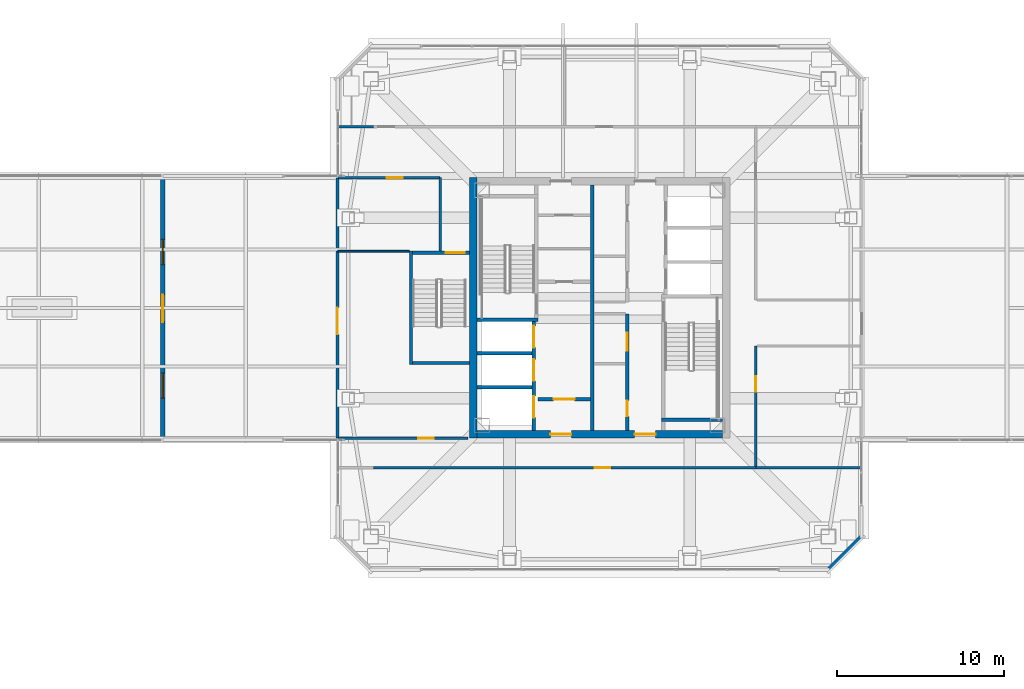
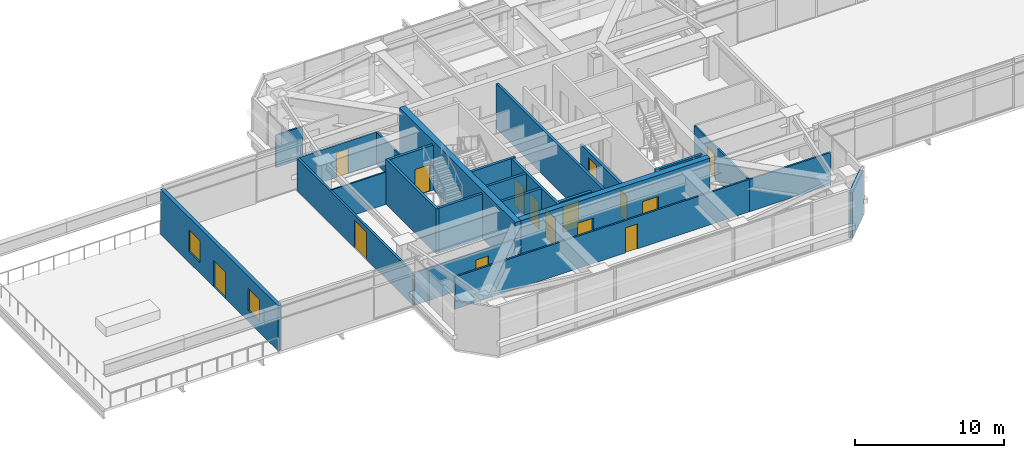
# One storey, part 41 of 51: 24 walls, 15 doors, 2 windows, 17 openings.
"""IFC4 building model written with IfcOpenShell, lengths in metres."""

from ifc_helpers import new_model, si_unit, direction, frame, frame_2d, origin, place, context, subcontext, project, spatial, rectangle, extrude, material, layer, layer_set, type_object, element, fill, save


model = new_model("IFC4")

# Units and contexts
model_context = context("Model", 3, precision=1e-05, world=origin(), true_north=direction((0.0, 1.0)))
body_context = subcontext(model_context, "Body", "Model", "MODEL_VIEW")
ifc_project = project(units=[si_unit("LENGTHUNIT", "METRE"), si_unit("AREAUNIT", "SQUARE_METRE"), si_unit("VOLUMEUNIT", "CUBIC_METRE"), si_unit("PLANEANGLEUNIT", "RADIAN"), si_unit("MASSUNIT", "GRAM", prefix="KILO")], contexts=[model_context])

# Site, building, storey
site_placement = place(None, origin())
site = spatial("IfcSite", under=ifc_project, at=site_placement, CompositionType="ELEMENT")
building_placement = place(site_placement, origin())
building = spatial("IfcBuilding", under=site, at=building_placement, Name="Tashvorn Skyway Center", CompositionType="ELEMENT")
storey_placement = place(building_placement, frame((0.0, 0.0, 259.39990234375)))
storey = spatial("IfcBuildingStorey", under=building, at=storey_placement, Name="L70", CompositionType="ELEMENT", Elevation=259.39990234375)

# Wall
ifc_material_1 = material(Name="Concrete C50/60", Category="concrete")
ifc_layer_1 = layer(ifc_material_1, 0.449951171875)
ifc_layer_set_1 = layer_set([ifc_layer_1], Name="Concrete C50/60")
wall_type_1 = type_object("IfcWallType", Name="WALL-CORE-450", PredefinedType="SHEAR", material=ifc_layer_set_1)
wall_1_placement = place(storey_placement, frame((34.425048828125, 24.199951171875, 0.0), z_axis=(0.0, 0.0, 1.0), x_axis=(0.0, 1.0, 0.0)))
element("IfcWall", 1, at=wall_1_placement, inside=storey, type_object=wall_type_1, Name="Tower 1 L70 West Core Shear Wall", PredefinedType="SHEAR", context=body_context, shape_type="SweptSolid", body=[
    extrude(rectangle(XDim=15.60009765625, YDim=0.449951171875, at=frame_2d((7.800048828125, 0.0))), origin(), (0.0, 0.0, 1.0), 4.0),
])

# Wall, openings, doors
wall_2_placement = place(storey_placement, frame((49.35009765625, 24.425048828125, 0.0), z_axis=(0.0, 0.0, 1.0), x_axis=(-1.0, 0.0, 0.0)))
wall_2 = element("IfcWall", 2, at=wall_2_placement, inside=storey, type_object=wall_type_1, Name="Tower 1 L70 South Core Shear Wall", PredefinedType="SHEAR", context=body_context, shape_type="SweptSolid", body=[
    extrude(rectangle(XDim=14.7001953125, YDim=0.449951171875, at=frame_2d((7.35009765625, 0.0))), origin(), (0.0, 0.0, 1.0), 4.0),
])
opening_1_placement = place(wall_2_placement, frame((9.050048828125, 0.0, 0.0)))
opening_1 = element("IfcOpeningElement", 3, at=opening_1_placement, cuts=wall_2, Name="Opening D-FFL-1250", PredefinedType="OPENING", context=body_context, shape_type="SweptSolid", body=[
    extrude(rectangle(XDim=1.25, YDim=2.25, at=frame_2d((0.625, 1.125))), frame((0.0, 0.23486328125, 0.0), z_axis=(0.0, -1.0, 0.0), x_axis=(1.0, 0.0, 0.0)), (0.0, 0.0, 1.0), 0.469970703125),
])
opening_2_placement = place(wall_2_placement, frame((4.0, 0.0, 0.0)))
opening_2 = element("IfcOpeningElement", 4, at=opening_2_placement, cuts=wall_2, Name="Opening D-FFL-1250", PredefinedType="OPENING", context=body_context, shape_type="SweptSolid", body=[
    extrude(rectangle(XDim=1.25, YDim=2.25, at=frame_2d((0.625, 1.125))), frame((0.0, 0.23486328125, 0.0), z_axis=(0.0, -1.0, 0.0), x_axis=(1.0, 0.0, 0.0)), (0.0, 0.0, 1.0), 0.469970703125),
])
ifc_material_2 = material(Name="Hollow galvanized steel fire door assembly", Category="steel")
door_type_1 = type_object("IfcDoorType", Name="DOOR-FFL-1250", OperationType="NOTDEFINED", PredefinedType="DOOR", material=ifc_material_2)
door_1_placement = place(opening_1_placement, origin())
door_1 = element("IfcDoor", 5, at=door_1_placement, inside=storey, type_object=door_type_1, Name="Tower 1 L70 Core South Firefighting Exit Door", OperationType="SINGLE_SWING_LEFT", OverallHeight=2.25, OverallWidth=1.25, PredefinedType="DOOR", context=body_context, shape_type="SweptSolid", body=[
    extrude(rectangle(XDim=1.25, YDim=2.25, at=frame_2d((0.625, 1.125))), frame((0.0, 0.02490234375, 0.0), z_axis=(0.0, -1.0, 0.0), x_axis=(1.0, 0.0, 0.0)), (0.0, 0.0, 1.0), 0.050048828125),
])
fill(opening_1, door_1)
door_2_placement = place(opening_2_placement, origin())
door_2 = element("IfcDoor", 6, at=door_2_placement, inside=storey, type_object=door_type_1, Name="Tower 1 L70 Core South Lift Lobby Door", OperationType="SINGLE_SWING_RIGHT", OverallHeight=2.25, OverallWidth=1.25, PredefinedType="DOOR", context=body_context, shape_type="SweptSolid", body=[
    extrude(rectangle(XDim=1.25, YDim=2.25, at=frame_2d((0.625, 1.125))), frame((0.0, 0.02490234375, 0.0), z_axis=(0.0, -1.0, 0.0), x_axis=(1.0, 0.0, 0.0)), (0.0, 0.0, 1.0), 0.050048828125),
])
fill(opening_2, door_2)

# Wall
ifc_material_3 = material(Name="Precast concrete C40/50", Category="concrete")
ifc_layer_2 = layer(ifc_material_3, 0.280029296875)
ifc_layer_set_2 = layer_set([ifc_layer_2], Name="Precast concrete C40/50")
wall_type_2 = type_object("IfcWallType", Name="WALL-EXT-280", PredefinedType="SOLIDWALL", material=ifc_layer_set_2)
wall_3_placement = place(storey_placement, frame((57.699951171875, 18.300048828125, 0.0), z_axis=(0.0, 0.0, 1.0), x_axis=(-0.707106781187, -0.707106781187, 0.0)))
element("IfcWall", 7, at=wall_3_placement, inside=storey, type_object=wall_type_2, Name="Tower 1 L70 SE Precast Chamfer Wall", PredefinedType="SOLIDWALL", context=body_context, shape_type="SweptSolid", body=[
    extrude(rectangle(XDim=2.828369140625, YDim=0.280029296875, at=frame_2d((1.4140625, 0.0))), origin(), (0.0, 0.0, 1.0), 3.7001953125),
])

# Wall, openings, door, windows
wall_4_placement = place(storey_placement, frame((15.840087890625, 24.10009765625, 0.0), z_axis=(0.0, 0.0, 1.0), x_axis=(0.0, 1.0, 0.0)))
wall_4 = element("IfcWall", 8, at=wall_4_placement, inside=storey, type_object=wall_type_2, Name="Sky-Park L70 West Sky-Garden Portal Wall", PredefinedType="SOLIDWALL", context=body_context, shape_type="SweptSolid", body=[
    extrude(rectangle(XDim=15.7998046875, YDim=0.280029296875, at=frame_2d((7.89990234375, 0.0))), origin(), (0.0, 0.0, 1.0), 3.7001953125),
])
opening_3_placement = place(wall_4_placement, frame((7.050048828125, 0.0, 0.0)))
opening_3 = element("IfcOpeningElement", 9, at=opening_3_placement, cuts=wall_4, Name="Opening D-TER-1650", PredefinedType="OPENING", context=body_context, shape_type="SweptSolid", body=[
    extrude(rectangle(XDim=1.64990234375, YDim=2.199951171875, at=frame_2d((0.824951171875, 1.10009765625))), frame((0.0, 0.14990234375, 0.0), z_axis=(0.0, -1.0, 0.0), x_axis=(1.0, 0.0, 0.0)), (0.0, 0.0, 1.0), 0.300048828125),
])
opening_4_placement = place(wall_4_placement, frame((2.5, 0.0, 0.89990234375)))
opening_4 = element("IfcOpeningElement", 10, at=opening_4_placement, cuts=wall_4, Name="Opening WIN-1500", PredefinedType="OPENING", context=body_context, shape_type="SweptSolid", body=[
    extrude(rectangle(XDim=1.5, YDim=1.800048828125, at=frame_2d((0.75, 0.89990234375))), frame((0.0, 0.14990234375, 0.0), z_axis=(0.0, -1.0, 0.0), x_axis=(1.0, 0.0, 0.0)), (0.0, 0.0, 1.0), 0.300048828125),
])
opening_5_placement = place(wall_4_placement, frame((10.5, 0.0, 0.89990234375)))
opening_5 = element("IfcOpeningElement", 11, at=opening_5_placement, cuts=wall_4, Name="Opening WIN-1500", PredefinedType="OPENING", context=body_context, shape_type="SweptSolid", body=[
    extrude(rectangle(XDim=1.5, YDim=1.800048828125, at=frame_2d((0.75, 0.89990234375))), frame((0.0, 0.14990234375, 0.0), z_axis=(0.0, -1.0, 0.0), x_axis=(1.0, 0.0, 0.0)), (0.0, 0.0, 1.0), 0.300048828125),
])
ifc_material_4 = material(Name="Thermally broken bronze-anodized aluminium 6063-T6", Category="aluminium")
door_type_2 = type_object("IfcDoorType", Name="DOOR-TERR-1650", OperationType="DOUBLE_DOOR_SINGLE_SWING", PredefinedType="DOOR", material=ifc_material_4)
door_3_placement = place(opening_3_placement, origin())
door_3 = element("IfcDoor", 12, at=door_3_placement, inside=storey, type_object=door_type_2, Name="Sky-Park L70 Cantilever Terrace Double Door", OperationType="DOUBLE_DOOR_SINGLE_SWING", OverallHeight=2.199951171875, OverallWidth=1.64990234375, PredefinedType="DOOR", context=body_context, shape_type="SweptSolid", body=[
    extrude(rectangle(XDim=1.64990234375, YDim=2.199951171875, at=frame_2d((0.824951171875, 1.10009765625))), frame((0.0, 0.02490234375, 0.0), z_axis=(0.0, -1.0, 0.0), x_axis=(1.0, 0.0, 0.0)), (0.0, 0.0, 1.0), 0.050048828125),
])
fill(opening_3, door_3)
ifc_material_5 = material(Name="Low-E solar-control double insulating safety glass", Category="glass")
window_type = type_object("IfcWindowType", Name="WIN-PAV-1500", PartitioningType="SINGLE_PANEL", PredefinedType="WINDOW", material=ifc_material_5)
window_1_placement = place(opening_4_placement, origin())
window_1 = element("IfcWindow", 13, at=window_1_placement, inside=storey, type_object=window_type, Name="Sky-Park L70 Cantilever Portal Window South", OverallHeight=1.800048828125, OverallWidth=1.5, PartitioningType="SINGLE_PANEL", PredefinedType="WINDOW", context=body_context, shape_type="SweptSolid", body=[
    extrude(rectangle(XDim=1.5, YDim=1.800048828125, at=frame_2d((0.75, 0.89990234375))), frame((0.0, 0.030029296875, 0.0), z_axis=(0.0, -1.0, 0.0), x_axis=(1.0, 0.0, 0.0)), (0.0, 0.0, 1.0), 0.06005859375),
])
fill(opening_4, window_1)
window_2_placement = place(opening_5_placement, origin())
window_2 = element("IfcWindow", 14, at=window_2_placement, inside=storey, type_object=window_type, Name="Sky-Park L70 Cantilever Portal Window North", OverallHeight=1.800048828125, OverallWidth=1.5, PartitioningType="SINGLE_PANEL", PredefinedType="WINDOW", context=body_context, shape_type="SweptSolid", body=[
    extrude(rectangle(XDim=1.5, YDim=1.800048828125, at=frame_2d((0.75, 0.89990234375))), frame((0.0, 0.030029296875, 0.0), z_axis=(0.0, -1.0, 0.0), x_axis=(1.0, 0.0, 0.0)), (0.0, 0.0, 1.0), 0.06005859375),
])
fill(opening_5, window_2)

# Wall, opening, door
ifc_material_6 = material(Name="Concrete C40/50", Category="concrete")
ifc_layer_3 = layer(ifc_material_6, 0.219970703125)
ifc_layer_set_3 = layer_set([ifc_layer_3], Name="Concrete C40/50")
wall_type_3 = type_object("IfcWallType", Name="WALL-FFL-220", PredefinedType="SOLIDWALL", material=ifc_layer_set_3)
wall_5_placement = place(storey_placement, frame((38.300048828125, 26.5400390625, 0.0), z_axis=(0.0, 0.0, 1.0), x_axis=(1.0, 0.0, 0.0)))
wall_5 = element("IfcWall", 15, at=wall_5_placement, inside=storey, type_object=wall_type_3, Name="Tower 1 L70 Firefighting Lobby South Wall", PredefinedType="SOLIDWALL", context=body_context, shape_type="SweptSolid", body=[
    extrude(rectangle(XDim=3.14990234375, YDim=0.219970703125, at=frame_2d((1.574951171875, 0.0))), origin(), (0.0, 0.0, 1.0), 2.6591796875),
])
opening_6_placement = place(wall_5_placement, frame((0.949951171875, 0.0, 0.0)))
opening_6 = element("IfcOpeningElement", 16, at=opening_6_placement, cuts=wall_5, Name="Opening D-FFL-1250", PredefinedType="OPENING", context=body_context, shape_type="SweptSolid", body=[
    extrude(rectangle(XDim=1.25, YDim=2.25, at=frame_2d((0.625, 1.125))), frame((0.0, 0.119873046875, 0.0), z_axis=(0.0, -1.0, 0.0), x_axis=(1.0, 0.0, 0.0)), (0.0, 0.0, 1.0), 0.239990234375),
])
door_4_placement = place(opening_6_placement, origin())
door_4 = element("IfcDoor", 17, at=door_4_placement, inside=storey, type_object=door_type_1, Name="Tower 1 L70 Firefighting Lobby Egress Door", OperationType="SINGLE_SWING_LEFT", OverallHeight=2.25, OverallWidth=1.25, PredefinedType="DOOR", context=body_context, shape_type="SweptSolid", body=[
    extrude(rectangle(XDim=1.25, YDim=2.25, at=frame_2d((0.625, 1.125))), frame((0.0, 0.02490234375, 0.0), z_axis=(0.0, -1.0, 0.0), x_axis=(1.0, 0.0, 0.0)), (0.0, 0.0, 1.0), 0.050048828125),
])
fill(opening_6, door_4)

# Walls
ifc_material_7 = material(Name="Gypsum board on cold-formed steel stud framing", Category="steel")
ifc_layer_4 = layer(ifc_material_7, 0.110107421875)
ifc_layer_set_4 = layer_set([ifc_layer_4], Name="Gypsum board on cold-formed steel stud framing")
wall_type_4 = type_object("IfcWallType", Name="WALL-PART-110", PredefinedType="PARTITIONING", material=ifc_layer_set_4)
wall_6_placement = place(storey_placement, frame((30.60009765625, 35.39990234375, 0.0), z_axis=(0.0, 0.0, 1.0), x_axis=(-1.0, 0.0, 0.0)))
element("IfcWall", 18, at=wall_6_placement, inside=storey, type_object=wall_type_4, Name="Tower 1 L70 West Suite Partition 1", PredefinedType="PARTITIONING", context=body_context, shape_type="SweptSolid", body=[
    extrude(rectangle(XDim=4.280029296875, YDim=0.110107421875, at=frame_2d((2.14013671875, 0.0))), origin(), (0.0, 0.0, 1.0), 2.6591796875),
])
ifc_layer_5 = layer(ifc_material_7, 0.135009765625)
ifc_layer_set_5 = layer_set([ifc_layer_5], Name="Gypsum board on cold-formed steel stud framing")
wall_type_5 = type_object("IfcWallType", Name="WALL-PART-135", PredefinedType="PARTITIONING", material=ifc_layer_set_5)
wall_7_placement = place(storey_placement, frame((32.449951171875, 35.39990234375, 0.0), z_axis=(0.0, 0.0, 1.0), x_axis=(0.0, 1.0, 0.0)))
element("IfcWall", 19, at=wall_7_placement, inside=storey, type_object=wall_type_5, Name="Tower 1 L70 Stair 3 Access Corridor Wall", PredefinedType="PARTITIONING", context=body_context, shape_type="SweptSolid", body=[
    extrude(rectangle(XDim=4.400146484375, YDim=0.135009765625, at=frame_2d((2.2001953125, 0.0))), origin(), (0.0, 0.0, 1.0), 2.6591796875),
])
wall_8_placement = place(storey_placement, frame((26.320068359375, 42.85009765625, 0.0), z_axis=(0.0, 0.0, 1.0), x_axis=(1.0, 0.0, 0.0)))
element("IfcWall", 20, at=wall_8_placement, inside=storey, type_object=wall_type_5, Name="Tower 1 L70 North-West Suite South Wall", PredefinedType="PARTITIONING", context=body_context, shape_type="SweptSolid", body=[
    extrude(rectangle(XDim=2.1298828125, YDim=0.135009765625, at=frame_2d((1.06494140625, 0.0))), origin(), (0.0, 0.0, 1.0), 2.6591796875),
])

# Wall, opening, door
wall_9_placement = place(storey_placement, frame((51.35009765625, 22.429931640625, 0.0), z_axis=(0.0, 0.0, 1.0), x_axis=(-1.0, 0.0, 0.0)))
wall_9 = element("IfcWall", 21, at=wall_9_placement, inside=storey, type_object=wall_type_5, Name="Tower 1 L70 South Suite Wall", PredefinedType="PARTITIONING", context=body_context, shape_type="SweptSolid", body=[
    extrude(rectangle(XDim=22.900146484375, YDim=0.135009765625, at=frame_2d((11.4501953125, 0.0))), origin(), (0.0, 0.0, 1.0), 2.6591796875),
])
opening_7_placement = place(wall_9_placement, frame((8.70458984375, 0.0, 0.0)))
opening_7 = element("IfcOpeningElement", 22, at=opening_7_placement, cuts=wall_9, Name="Opening D-INT-950", PredefinedType="OPENING", context=body_context, shape_type="SweptSolid", body=[
    extrude(rectangle(XDim=0.949951171875, YDim=2.050048828125, at=frame_2d((0.47509765625, 1.02490234375))), frame((0.0, 0.077392578125, 0.0), z_axis=(0.0, -1.0, 0.0), x_axis=(1.0, 0.0, 0.0)), (0.0, 0.0, 1.0), 0.155029296875),
])
ifc_material_8 = material(Name="Solid-core architectural oak veneer door")
door_type_3 = type_object("IfcDoorType", Name="DOOR-INT-950", OperationType="NOTDEFINED", PredefinedType="DOOR", material=ifc_material_8)
door_5_placement = place(opening_7_placement, origin())
door_5 = element("IfcDoor", 23, at=door_5_placement, inside=storey, type_object=door_type_3, Name="Tower 1 L70 Conference Room Door", OperationType="SINGLE_SWING_LEFT", OverallHeight=2.050048828125, OverallWidth=0.949951171875, PredefinedType="DOOR", context=body_context, shape_type="SweptSolid", body=[
    extrude(rectangle(XDim=0.949951171875, YDim=2.050048828125, at=frame_2d((0.47509765625, 1.02490234375))), frame((0.0, 0.02490234375, 0.0), z_axis=(0.0, -1.0, 0.0), x_axis=(1.0, 0.0, 0.0)), (0.0, 0.0, 1.0), 0.050048828125),
])
fill(opening_7, door_5)

# Wall
wall_10_placement = place(storey_placement, frame((51.35009765625, 22.429931640625, 0.0), z_axis=(0.0, 0.0, 1.0), x_axis=(1.0, 0.0, 0.0)))
element("IfcWall", 24, at=wall_10_placement, inside=storey, type_object=wall_type_5, Name="Tower 1 L70 South-East Suite North Wall", PredefinedType="PARTITIONING", context=body_context, shape_type="SweptSolid", body=[
    extrude(rectangle(XDim=6.329833984375, YDim=0.135009765625, at=frame_2d((3.1650390625, 0.0))), origin(), (0.0, 0.0, 1.0), 2.6591796875),
])

# Wall, opening, door
wall_11_placement = place(storey_placement, frame((51.35009765625, 29.719970703125, 0.0), z_axis=(0.0, 0.0, 1.0), x_axis=(0.0, -1.0, 0.0)))
wall_11 = element("IfcWall", 25, at=wall_11_placement, inside=storey, type_object=wall_type_5, Name="Tower 1 L70 East South Suite Wall", PredefinedType="PARTITIONING", context=body_context, shape_type="SweptSolid", body=[
    extrude(rectangle(XDim=7.2099609375, YDim=0.135009765625, at=frame_2d((3.60498046875, 0.0))), origin(), (0.0, 0.0, 1.0), 2.6591796875),
])
opening_8_placement = place(wall_11_placement, frame((1.800048828125, 0.0, 0.0)))
opening_8 = element("IfcOpeningElement", 26, at=opening_8_placement, cuts=wall_11, Name="Opening D-INT-950", PredefinedType="OPENING", context=body_context, shape_type="SweptSolid", body=[
    extrude(rectangle(XDim=0.949951171875, YDim=2.050048828125, at=frame_2d((0.47509765625, 1.02490234375))), frame((0.0, 0.077392578125, 0.0), z_axis=(0.0, -1.0, 0.0), x_axis=(1.0, 0.0, 0.0)), (0.0, 0.0, 1.0), 0.155029296875),
])
door_6_placement = place(opening_8_placement, origin())
door_6 = element("IfcDoor", 27, at=door_6_placement, inside=storey, type_object=door_type_3, Name="Tower 1 L70 Executive Conference Suite Door", OperationType="SINGLE_SWING_LEFT", OverallHeight=2.050048828125, OverallWidth=0.949951171875, PredefinedType="DOOR", context=body_context, shape_type="SweptSolid", body=[
    extrude(rectangle(XDim=0.949951171875, YDim=2.050048828125, at=frame_2d((0.47509765625, 1.02490234375))), frame((0.0, 0.02490234375, 0.0), z_axis=(0.0, -1.0, 0.0), x_axis=(1.0, 0.0, 0.0)), (0.0, 0.0, 1.0), 0.050048828125),
])
fill(opening_8, door_6)

wall_12_placement = place(storey_placement, frame((32.449951171875, 39.800048828125, 0.0), z_axis=(0.0, 0.0, 1.0), x_axis=(-1.0, 0.0, 0.0)))
wall_12 = element("IfcWall", 28, at=wall_12_placement, inside=storey, type_object=wall_type_5, Name="Tower 1 L70 West Suite North Wall", PredefinedType="PARTITIONING", context=body_context, shape_type="SweptSolid", body=[
    extrude(rectangle(XDim=6.1298828125, YDim=0.135009765625, at=frame_2d((3.06494140625, 0.0))), origin(), (0.0, 0.0, 1.0), 2.6591796875),
])
opening_9_placement = place(wall_12_placement, frame((2.239990234375, 0.0, 0.0)))
opening_9 = element("IfcOpeningElement", 29, at=opening_9_placement, cuts=wall_12, Name="Opening D-INT-950", PredefinedType="OPENING", context=body_context, shape_type="SweptSolid", body=[
    extrude(rectangle(XDim=0.949951171875, YDim=2.050048828125, at=frame_2d((0.47509765625, 1.02490234375))), frame((0.0, 0.077392578125, 0.0), z_axis=(0.0, -1.0, 0.0), x_axis=(1.0, 0.0, 0.0)), (0.0, 0.0, 1.0), 0.155029296875),
])
door_7_placement = place(opening_9_placement, origin())
door_7 = element("IfcDoor", 30, at=door_7_placement, inside=storey, type_object=door_type_3, Name="Tower 1 L70 Catering Pantry Door", OperationType="SINGLE_SWING_RIGHT", OverallHeight=2.050048828125, OverallWidth=0.949951171875, PredefinedType="DOOR", context=body_context, shape_type="SweptSolid", body=[
    extrude(rectangle(XDim=0.949951171875, YDim=2.050048828125, at=frame_2d((0.47509765625, 1.02490234375))), frame((0.0, 0.02490234375, 0.0), z_axis=(0.0, -1.0, 0.0), x_axis=(1.0, 0.0, 0.0)), (0.0, 0.0, 1.0), 0.050048828125),
])
fill(opening_9, door_7)

wall_13_placement = place(storey_placement, frame((26.320068359375, 24.199951171875, 0.0), z_axis=(0.0, 0.0, 1.0), x_axis=(1.0, 0.0, 0.0)))
wall_13 = element("IfcWall", 31, at=wall_13_placement, inside=storey, type_object=wall_type_5, Name="Tower 1 L70 West Suite South Wall", PredefinedType="PARTITIONING", context=body_context, shape_type="SweptSolid", body=[
    extrude(rectangle(XDim=7.800048828125, YDim=0.135009765625, at=frame_2d((3.89990234375, 0.0))), origin(), (0.0, 0.0, 1.0), 2.6591796875),
])
opening_10_placement = place(wall_13_placement, frame((4.804931640625, 0.0, 0.0)))
opening_10 = element("IfcOpeningElement", 32, at=opening_10_placement, cuts=wall_13, Name="Opening D-INT-950", PredefinedType="OPENING", context=body_context, shape_type="SweptSolid", body=[
    extrude(rectangle(XDim=0.949951171875, YDim=2.050048828125, at=frame_2d((0.47509765625, 1.02490234375))), frame((0.0, 0.077392578125, 0.0), z_axis=(0.0, -1.0, 0.0), x_axis=(1.0, 0.0, 0.0)), (0.0, 0.0, 1.0), 0.155029296875),
])
door_8_placement = place(opening_10_placement, origin())
door_8 = element("IfcDoor", 33, at=door_8_placement, inside=storey, type_object=door_type_3, Name="Tower 1 L70 Breakout Lounge Door", OperationType="SINGLE_SWING_LEFT", OverallHeight=2.050048828125, OverallWidth=0.949951171875, PredefinedType="DOOR", context=body_context, shape_type="SweptSolid", body=[
    extrude(rectangle(XDim=0.949951171875, YDim=2.050048828125, at=frame_2d((0.47509765625, 1.02490234375))), frame((0.0, 0.02490234375, 0.0), z_axis=(0.0, -1.0, 0.0), x_axis=(1.0, 0.0, 0.0)), (0.0, 0.0, 1.0), 0.050048828125),
])
fill(opening_10, door_8)

ifc_layer_6 = layer(ifc_material_7, 0.159912109375)
ifc_layer_set_6 = layer_set([ifc_layer_6], Name="Gypsum board on cold-formed steel stud framing")
wall_type_6 = type_object("IfcWallType", Name="WALL-PART-160", PredefinedType="PARTITIONING", material=ifc_layer_set_6)
wall_14_placement = place(storey_placement, frame((26.300048828125, 24.219970703125, 0.0), z_axis=(0.0, 0.0, 1.0), x_axis=(0.0, 1.0, 0.0)))
wall_14 = element("IfcWall", 34, at=wall_14_placement, inside=storey, type_object=wall_type_6, Name="L70 Sky-Park Cantilever Entry Wall", PredefinedType="PARTITIONING", context=body_context, shape_type="SweptSolid", body=[
    extrude(rectangle(XDim=15.56005859375, YDim=0.159912109375, at=frame_2d((7.780029296875, 0.0))), origin(), (0.0, 0.0, 1.0), 2.6591796875),
])
opening_11_placement = place(wall_14_placement, frame((6.199951171875, 0.0, 0.0)))
opening_11 = element("IfcOpeningElement", 35, at=opening_11_placement, cuts=wall_14, Name="Opening D-DBL-1600", PredefinedType="OPENING", context=body_context, shape_type="SweptSolid", body=[
    extrude(rectangle(XDim=1.60009765625, YDim=2.25, at=frame_2d((0.800048828125, 1.125))), frame((0.0, 0.08984375, 0.0), z_axis=(0.0, -1.0, 0.0), x_axis=(1.0, 0.0, 0.0)), (0.0, 0.0, 1.0), 0.179931640625),
])
ifc_material_9 = material(Name="Anodized aluminium and tempered safety glass", Category="aluminium")
door_type_4 = type_object("IfcDoorType", Name="DOOR-DBL-1600", OperationType="DOUBLE_DOOR_SINGLE_SWING", PredefinedType="DOOR", material=ifc_material_9)
door_9_placement = place(opening_11_placement, origin())
door_9 = element("IfcDoor", 36, at=door_9_placement, inside=storey, type_object=door_type_4, Name="L70 Cantilever Gallery Entry Door", OperationType="DOUBLE_DOOR_SINGLE_SWING", OverallHeight=2.25, OverallWidth=1.60009765625, PredefinedType="DOOR", context=body_context, shape_type="SweptSolid", body=[
    extrude(rectangle(XDim=1.60009765625, YDim=2.25, at=frame_2d((0.800048828125, 1.125))), frame((0.0, 0.02490234375, 0.0), z_axis=(0.0, -1.0, 0.0), x_axis=(1.0, 0.0, 0.0)), (0.0, 0.0, 1.0), 0.050048828125),
])
fill(opening_11, door_9)

# Walls
ifc_layer_7 = layer(ifc_material_6, 0.199951171875)
ifc_layer_set_7 = layer_set([ifc_layer_7], Name="Concrete C40/50")
wall_type_7 = type_object("IfcWallType", Name="WALL-SHAFT-200", PredefinedType="SOLIDWALL", material=ifc_layer_set_7)
for number, where, z_axis, x_axis, name in (
    (37, (34.64990234375, 27.25, 0.0), (0.0, 0.0, 1.0), (1.0, 0.0, 0.0), "Tower 1 L70 FSAE Shaft Divider"),
    (38, (34.64990234375, 29.280029296875, 0.0), (0.0, 0.0, 1.0), (1.0, 0.0, 0.0), "Tower 1 L70 FSAE Shaft Divider"),
):
    element("IfcWall", number, at=place(storey_placement, frame(where, z_axis=z_axis, x_axis=x_axis)), inside=storey, type_object=wall_type_7, Name=name, PredefinedType="SOLIDWALL", context=body_context, shape_type="SweptSolid", body=[
        extrude(rectangle(XDim=3.300048828125, YDim=0.199951171875, at=frame_2d((1.64990234375, 0.0))), origin(), (0.0, 0.0, 1.0), 3.7001953125),
    ])

# Wall, openings, doors
wall_15_placement = place(storey_placement, frame((43.64990234375, 24.64990234375, 0.0), z_axis=(0.0, 0.0, 1.0), x_axis=(0.0, 1.0, 0.0)))
wall_15 = element("IfcWall", 39, at=wall_15_placement, inside=storey, type_object=wall_type_7, Name="Tower 1 L70 Low-Rise Core Wall", PredefinedType="SOLIDWALL", context=body_context, shape_type="SweptSolid", body=[
    extrude(rectangle(XDim=7.0, YDim=0.199951171875, at=frame_2d((3.5, 0.0))), origin(), (0.0, 0.0, 1.0), 2.6591796875),
])
opening_12_placement = place(wall_15_placement, frame((0.85009765625, 0.0, 0.0)))
opening_12 = element("IfcOpeningElement", 40, at=opening_12_placement, cuts=wall_15, Name="Opening D-RT-950", PredefinedType="OPENING", context=body_context, shape_type="SweptSolid", body=[
    extrude(rectangle(XDim=0.949951171875, YDim=2.050048828125, at=frame_2d((0.47509765625, 1.02490234375))), frame((0.0, 0.10986328125, 0.0), z_axis=(0.0, -1.0, 0.0), x_axis=(1.0, 0.0, 0.0)), (0.0, 0.0, 1.0), 0.219970703125),
])
opening_13_placement = place(wall_15_placement, frame((4.800048828125, 0.0, 0.0)))
opening_13 = element("IfcOpeningElement", 41, at=opening_13_placement, cuts=wall_15, Name="Opening D-RT-1050", PredefinedType="OPENING", context=body_context, shape_type="SweptSolid", body=[
    extrude(rectangle(XDim=1.050048828125, YDim=2.199951171875, at=frame_2d((0.52490234375, 1.10009765625))), frame((0.0, 0.10986328125, 0.0), z_axis=(0.0, -1.0, 0.0), x_axis=(1.0, 0.0, 0.0)), (0.0, 0.0, 1.0), 0.219970703125),
])
door_type_5 = type_object("IfcDoorType", Name="DOOR-RATED-1050", OperationType="NOTDEFINED", PredefinedType="DOOR", material=ifc_material_2)
door_10_placement = place(opening_13_placement, origin())
door_10 = element("IfcDoor", 42, at=door_10_placement, inside=storey, type_object=door_type_5, Name="Tower 1 L70 Freed Core Room Door", OperationType="SINGLE_SWING_RIGHT", OverallHeight=2.199951171875, OverallWidth=1.050048828125, PredefinedType="DOOR", context=body_context, shape_type="SweptSolid", body=[
    extrude(rectangle(XDim=1.050048828125, YDim=2.199951171875, at=frame_2d((0.52490234375, 1.10009765625))), frame((0.0, 0.02490234375, 0.0), z_axis=(0.0, -1.0, 0.0), x_axis=(1.0, 0.0, 0.0)), (0.0, 0.0, 1.0), 0.050048828125),
])
fill(opening_13, door_10)
door_type_6 = type_object("IfcDoorType", Name="DOOR-RATED-950", OperationType="NOTDEFINED", PredefinedType="DOOR", material=ifc_material_2)
door_11_placement = place(opening_12_placement, origin())
door_11 = element("IfcDoor", 43, at=door_11_placement, inside=storey, type_object=door_type_6, Name="Tower 1 L70 Core Print Room Door", OperationType="SINGLE_SWING_LEFT", OverallHeight=2.050048828125, OverallWidth=0.949951171875, PredefinedType="DOOR", context=body_context, shape_type="SweptSolid", body=[
    extrude(rectangle(XDim=0.949951171875, YDim=2.050048828125, at=frame_2d((0.47509765625, 1.02490234375))), frame((0.0, 0.02490234375, 0.0), z_axis=(0.0, -1.0, 0.0), x_axis=(1.0, 0.0, 0.0)), (0.0, 0.0, 1.0), 0.050048828125),
])
fill(opening_12, door_11)

# Walls
ifc_layer_8 = layer(ifc_material_6, 0.199951171875)
ifc_layer_set_8 = layer_set([ifc_layer_8], Name="Concrete C40/50")
wall_type_8 = type_object("IfcWallType", Name="WALL-STSHF-200", PredefinedType="SHEAR", material=ifc_layer_set_8)
for number, where, z_axis, x_axis, name in (
    (44, (34.64990234375, 31.300048828125, 0.0), (0.0, 0.0, 1.0), (1.0, 0.0, 0.0), "Tower 1 L70 Stair 1 South Wall"),
    (45, (45.699951171875, 25.300048828125, 0.0), (0.0, 0.0, 1.0), (1.0, 0.0, 0.0), "Tower 1 L70 Stair 2 South Wall"),
):
    element("IfcWall", number, at=place(storey_placement, frame(where, z_axis=z_axis, x_axis=x_axis)), inside=storey, type_object=wall_type_8, Name=name, PredefinedType="SHEAR", context=body_context, shape_type="SweptSolid", body=[
        extrude(rectangle(XDim=3.650146484375, YDim=0.199951171875, at=frame_2d((1.8251953125, 0.0))), origin(), (0.0, 0.0, 1.0), 3.7001953125),
    ])
wall_16_placement = place(storey_placement, frame((41.56005859375, 24.64990234375, 0.0), z_axis=(0.0, 0.0, 1.0), x_axis=(0.0, 1.0, 0.0)))
element("IfcWall", 46, at=wall_16_placement, inside=storey, type_object=wall_type_8, Name="Tower 1 L70 Firefighting Lobby East Smoke Barrier", PredefinedType="SHEAR", context=body_context, shape_type="SweptSolid", body=[
    extrude(rectangle(XDim=14.7001953125, YDim=0.199951171875, at=frame_2d((7.35009765625, 0.0))), origin(), (0.0, 0.0, 1.0), 3.7001953125),
])

# Wall, openings, doors
wall_17_placement = place(storey_placement, frame((38.050048828125, 24.64990234375, 0.0), z_axis=(0.0, 0.0, 1.0), x_axis=(0.0, 1.0, 0.0)))
wall_17 = element("IfcWall", 47, at=wall_17_placement, inside=storey, type_object=wall_type_8, Name="Tower 1 L70 FSAE and Goods Shaft Front Wall", PredefinedType="SHEAR", context=body_context, shape_type="SweptSolid", body=[
    extrude(rectangle(XDim=6.550048828125, YDim=0.199951171875, at=frame_2d((3.27490234375, 0.0))), origin(), (0.0, 0.0, 1.0), 3.7001953125),
])
opening_14_placement = place(wall_17_placement, frame((4.97509765625, 0.0, 0.0)))
opening_14 = element("IfcOpeningElement", 48, at=opening_14_placement, cuts=wall_17, Name="Opening LD-FF-T1-1-L70", PredefinedType="OPENING", context=body_context, shape_type="SweptSolid", body=[
    extrude(rectangle(XDim=1.300048828125, YDim=2.25, at=frame_2d((0.64990234375, 1.125))), frame((0.0, 0.10986328125, 0.0), z_axis=(0.0, -1.0, 0.0), x_axis=(1.0, 0.0, 0.0)), (0.0, 0.0, 1.0), 0.219970703125),
])
opening_15_placement = place(wall_17_placement, frame((2.97509765625, 0.0, 0.0)))
opening_15 = element("IfcOpeningElement", 49, at=opening_15_placement, cuts=wall_17, Name="Opening LD-FF-T1-2-L70", PredefinedType="OPENING", context=body_context, shape_type="SweptSolid", body=[
    extrude(rectangle(XDim=1.300048828125, YDim=2.25, at=frame_2d((0.64990234375, 1.125))), frame((0.0, 0.10986328125, 0.0), z_axis=(0.0, -1.0, 0.0), x_axis=(1.0, 0.0, 0.0)), (0.0, 0.0, 1.0), 0.219970703125),
])
opening_16_placement = place(wall_17_placement, frame((0.77490234375, 0.0, 0.0)))
opening_16 = element("IfcOpeningElement", 50, at=opening_16_placement, cuts=wall_17, Name="Opening LD-GD-T1-1-L70", PredefinedType="OPENING", context=body_context, shape_type="SweptSolid", body=[
    extrude(rectangle(XDim=1.300048828125, YDim=2.25, at=frame_2d((0.64990234375, 1.125))), frame((0.0, 0.10986328125, 0.0), z_axis=(0.0, -1.0, 0.0), x_axis=(1.0, 0.0, 0.0)), (0.0, 0.0, 1.0), 0.219970703125),
])
ifc_material_10 = material(Name="Stainless steel heavy-duty landing door", Category="steel")
door_type_7 = type_object("IfcDoorType", Name="DOOR-LIFT-1300", OperationType="SLIDING_TO_LEFT", PredefinedType="DOOR", material=ifc_material_10)
door_12_placement = place(opening_14_placement, origin())
door_12 = element("IfcDoor", 51, at=door_12_placement, inside=storey, type_object=door_type_7, Name="Lift FF-T1-1 L70 Landing Door", OperationType="SLIDING_TO_LEFT", OverallHeight=2.25, OverallWidth=1.300048828125, PredefinedType="DOOR", context=body_context, shape_type="SweptSolid", body=[
    extrude(rectangle(XDim=1.300048828125, YDim=2.25, at=frame_2d((0.64990234375, 1.125))), frame((0.0, 0.02490234375, 0.0), z_axis=(0.0, -1.0, 0.0), x_axis=(1.0, 0.0, 0.0)), (0.0, 0.0, 1.0), 0.050048828125),
])
fill(opening_14, door_12)
door_13_placement = place(opening_15_placement, origin())
door_13 = element("IfcDoor", 52, at=door_13_placement, inside=storey, type_object=door_type_7, Name="Lift FF-T1-2 L70 Landing Door", OperationType="SLIDING_TO_LEFT", OverallHeight=2.25, OverallWidth=1.300048828125, PredefinedType="DOOR", context=body_context, shape_type="SweptSolid", body=[
    extrude(rectangle(XDim=1.300048828125, YDim=2.25, at=frame_2d((0.64990234375, 1.125))), frame((0.0, 0.02490234375, 0.0), z_axis=(0.0, -1.0, 0.0), x_axis=(1.0, 0.0, 0.0)), (0.0, 0.0, 1.0), 0.050048828125),
])
fill(opening_15, door_13)
door_14_placement = place(opening_16_placement, origin())
door_14 = element("IfcDoor", 53, at=door_14_placement, inside=storey, type_object=door_type_7, Name="Lift GD-T1-1 L70 Landing Door", OperationType="SLIDING_TO_LEFT", OverallHeight=2.25, OverallWidth=1.300048828125, PredefinedType="DOOR", context=body_context, shape_type="SweptSolid", body=[
    extrude(rectangle(XDim=1.300048828125, YDim=2.25, at=frame_2d((0.64990234375, 1.125))), frame((0.0, 0.02490234375, 0.0), z_axis=(0.0, -1.0, 0.0), x_axis=(1.0, 0.0, 0.0)), (0.0, 0.0, 1.0), 0.050048828125),
])
fill(opening_16, door_14)

# Wall
wall_18_placement = place(storey_placement, frame((30.699951171875, 28.60009765625, 0.0), z_axis=(0.0, 0.0, 1.0), x_axis=(0.0, 1.0, 0.0)))
element("IfcWall", 54, at=wall_18_placement, inside=storey, type_object=wall_type_8, Name="Tower 1 L70 Stair 3 Outer Wall", PredefinedType="SHEAR", context=body_context, shape_type="SweptSolid", body=[
    extrude(rectangle(XDim=6.7998046875, YDim=0.199951171875, at=frame_2d((3.39990234375, 0.0))), origin(), (0.0, 0.0, 1.0), 3.7001953125),
])

# Wall, opening, door
wall_19_placement = place(storey_placement, frame((34.199951171875, 35.300048828125, 0.0), z_axis=(0.0, 0.0, 1.0), x_axis=(-1.0, 0.0, 0.0)))
wall_19 = element("IfcWall", 55, at=wall_19_placement, inside=storey, type_object=wall_type_8, Name="Tower 1 L70 Stair 3 Enclosure Wall", PredefinedType="SHEAR", context=body_context, shape_type="SweptSolid", body=[
    extrude(rectangle(XDim=3.39990234375, YDim=0.199951171875, at=frame_2d((1.699951171875, 0.0))), origin(), (0.0, 0.0, 1.0), 3.7001953125),
])
opening_17_placement = place(wall_19_placement, frame((0.27490234375, 0.0, 0.0)))
opening_17 = element("IfcOpeningElement", 56, at=opening_17_placement, cuts=wall_19, Name="Opening D-ST-1150", PredefinedType="OPENING", context=body_context, shape_type="SweptSolid", body=[
    extrude(rectangle(XDim=1.14990234375, YDim=2.199951171875, at=frame_2d((0.574951171875, 1.10009765625))), frame((0.0, 0.10986328125, 0.0), z_axis=(0.0, -1.0, 0.0), x_axis=(1.0, 0.0, 0.0)), (0.0, 0.0, 1.0), 0.219970703125),
])
door_type_8 = type_object("IfcDoorType", Name="DOOR-STAIR-1150", OperationType="NOTDEFINED", PredefinedType="DOOR", material=ifc_material_2)
door_15_placement = place(opening_17_placement, origin())
door_15 = element("IfcDoor", 57, at=door_15_placement, inside=storey, type_object=door_type_8, Name="Tower 1 L70 Exit Stair 3 Door", OperationType="SINGLE_SWING_RIGHT", OverallHeight=2.199951171875, OverallWidth=1.14990234375, PredefinedType="DOOR", context=body_context, shape_type="SweptSolid", body=[
    extrude(rectangle(XDim=1.14990234375, YDim=2.199951171875, at=frame_2d((0.574951171875, 1.10009765625))), frame((0.0, 0.02490234375, 0.0), z_axis=(0.0, -1.0, 0.0), x_axis=(1.0, 0.0, 0.0)), (0.0, 0.0, 1.0), 0.050048828125),
])
fill(opening_17, door_15)

# Wall
wall_20_placement = place(storey_placement, frame((30.800048828125, 28.699951171875, 0.0), z_axis=(0.0, 0.0, 1.0), x_axis=(1.0, 0.0, 0.0)))
element("IfcWall", 58, at=wall_20_placement, inside=storey, type_object=wall_type_8, Name="Tower 1 L70 Stair 3 South Wall", PredefinedType="SHEAR", context=body_context, shape_type="SweptSolid", body=[
    extrude(rectangle(XDim=3.39990234375, YDim=0.199951171875, at=frame_2d((1.699951171875, 0.0))), origin(), (0.0, 0.0, 1.0), 3.7001953125),
])

save(model, "model.ifc")
